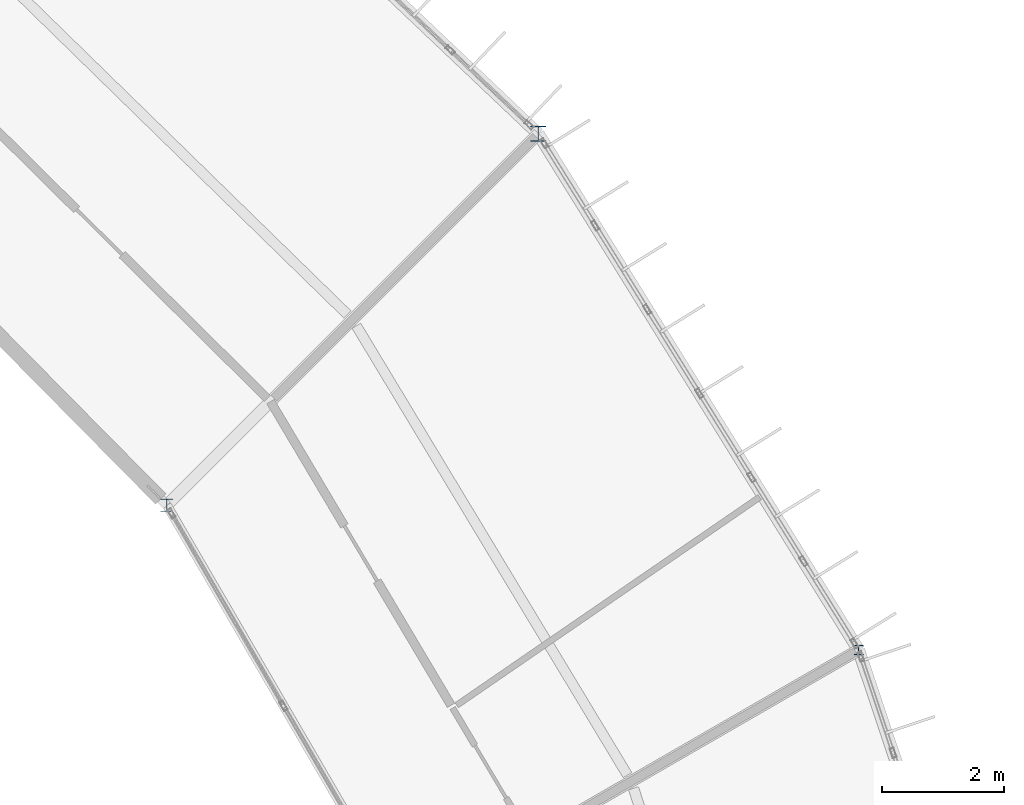
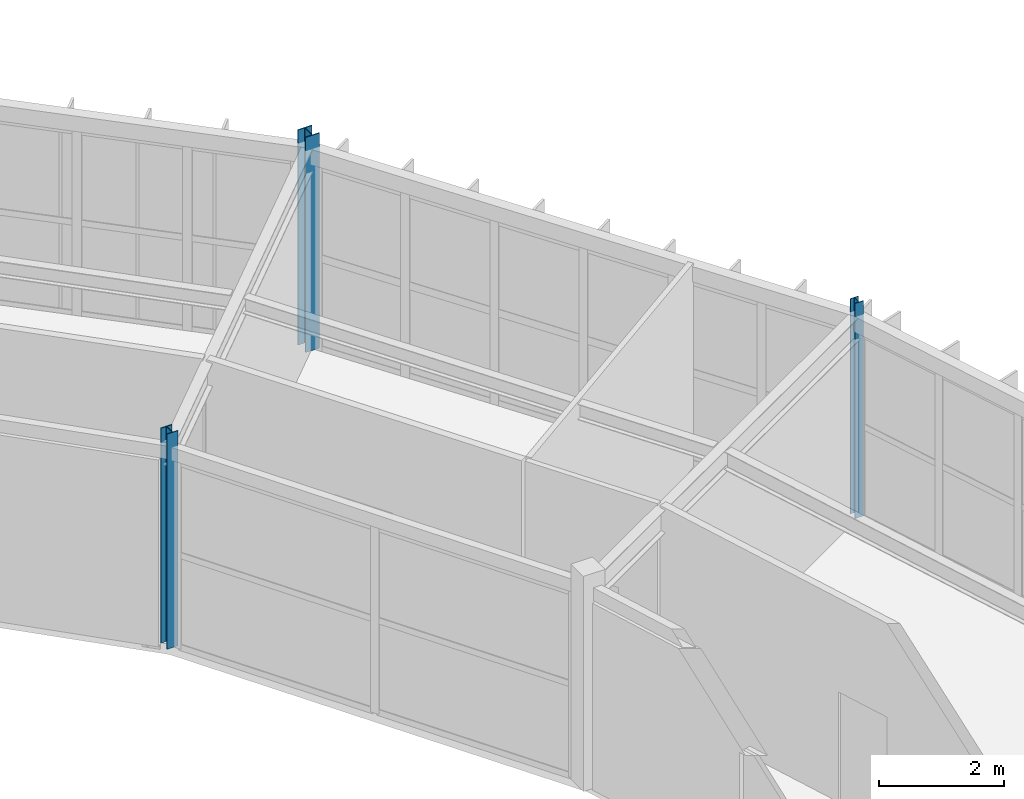
# One storey, part 17 of 157: 3 columns.
"""IFC4 building model written with IfcOpenShell, lengths in metres."""

from ifc_helpers import new_model, si_unit, direction, frame, origin, origin_2d, place, context, subcontext, project, spatial, i_section, extrude, material, material_profile, profile_set, type_object, element, save


model = new_model("IFC4")

# Units and contexts
model_context = context("Model", 3, precision=1e-05, world=origin(), true_north=direction((0.0, 1.0)))
body_context = subcontext(model_context, "Body", "Model", "MODEL_VIEW")
ifc_project = project(units=[si_unit("LENGTHUNIT", "METRE"), si_unit("AREAUNIT", "SQUARE_METRE"), si_unit("VOLUMEUNIT", "CUBIC_METRE"), si_unit("PLANEANGLEUNIT", "RADIAN"), si_unit("MASSUNIT", "GRAM", prefix="KILO")], contexts=[model_context])

# Site, building, storey
site_placement = place(None, origin())
site = spatial("IfcSite", under=ifc_project, at=site_placement, CompositionType="ELEMENT")
building_placement = place(site_placement, origin())
building = spatial("IfcBuilding", under=site, at=building_placement, Name="Karori Crest Natural Sciences Institute", CompositionType="ELEMENT")
storey_placement = place(building_placement, frame((0.0, 0.0, 13.300048828125)))
storey = spatial("IfcBuildingStorey", under=building, at=storey_placement, Name="L03", CompositionType="ELEMENT", Elevation=13.300048828125)

# Columns
ifc_material = material(Name="Structural steel AS/NZS 3679.1 Grade 350", Category="steel")
ifc_material_profile_1 = material_profile(ifc_material, i_section(OverallWidth=0.256103515625, OverallDepth=0.260009765625, WebThickness=0.010498046875, FlangeThickness=0.017333984375, FilletRadius=0.013916015625, at=origin_2d()), Name="250UC89.5")
ifc_profile_set_1 = profile_set([ifc_material_profile_1], Name="Structural steel AS/NZS 3679.1 Grade 350")
column_type_1 = type_object("IfcColumnType", Name="CT-06", PredefinedType="COLUMN", material=ifc_profile_set_1)
column_1_placement = place(storey_placement, frame((89.734619140625, 78.75, 0.0), z_axis=(0.0, 0.0, 1.0), x_axis=(1.0, 0.0, 0.0)))
element("IfcColumn", 1, at=column_1_placement, inside=storey, type_object=column_type_1, Name="Column C-0063", PredefinedType="COLUMN", context=body_context, shape_type="SweptSolid", body=[
    extrude(i_section(OverallWidth=0.256103515625, OverallDepth=0.260009765625, WebThickness=0.010498046875, FlangeThickness=0.017333984375, FilletRadius=0.013916015625, at=origin_2d()), origin(), (0.0, 0.0, 1.0), 4.199951171875),
])
ifc_material_profile_2 = material_profile(ifc_material, i_section(OverallWidth=0.205078125, OverallDepth=0.2099609375, WebThickness=0.00927734375, FlangeThickness=0.01416015625, FilletRadius=0.010986328125, at=origin_2d()), Name="200UC59.5")
ifc_profile_set_2 = profile_set([ifc_material_profile_2], Name="Structural steel AS/NZS 3679.1 Grade 350")
column_type_2 = type_object("IfcColumnType", Name="CT-08", PredefinedType="COLUMN", material=ifc_profile_set_2)
column_2_placement = place(storey_placement, frame((83.6533203125, 72.668701171875, 0.0), z_axis=(0.0, 0.0, 1.0), x_axis=(1.0, 0.0, 0.0)))
element("IfcColumn", 2, at=column_2_placement, inside=storey, type_object=column_type_2, Name="Column C-0064", PredefinedType="COLUMN", context=body_context, shape_type="SweptSolid", body=[
    extrude(i_section(OverallWidth=0.205078125, OverallDepth=0.2099609375, WebThickness=0.00927734375, FlangeThickness=0.01416015625, FilletRadius=0.010986328125, at=origin_2d()), origin(), (0.0, 0.0, 1.0), 4.199951171875),
])
ifc_material_profile_3 = material_profile(ifc_material, i_section(OverallWidth=0.154052734375, OverallDepth=0.162109375, WebThickness=0.008056640625, FlangeThickness=0.011474609375, FilletRadius=0.009033203125, at=origin_2d()), Name="150UC37.2")
ifc_profile_set_3 = profile_set([ifc_material_profile_3], Name="Structural steel AS/NZS 3679.1 Grade 350")
column_type_3 = type_object("IfcColumnType", Name="CT-26", PredefinedType="COLUMN", material=ifc_profile_set_3)
column_3_placement = place(storey_placement, frame((94.978759765625, 70.300048828125, 0.0), z_axis=(0.0, 0.0, 1.0), x_axis=(1.0, 0.0, 0.0)))
element("IfcColumn", 3, at=column_3_placement, inside=storey, type_object=column_type_3, Name="Column C-0045", PredefinedType="COLUMN", context=body_context, shape_type="SweptSolid", body=[
    extrude(i_section(OverallWidth=0.154052734375, OverallDepth=0.162109375, WebThickness=0.008056640625, FlangeThickness=0.011474609375, FilletRadius=0.009033203125, at=origin_2d()), origin(), (0.0, 0.0, 1.0), 4.199951171875),
])

save(model, "model.ifc")
